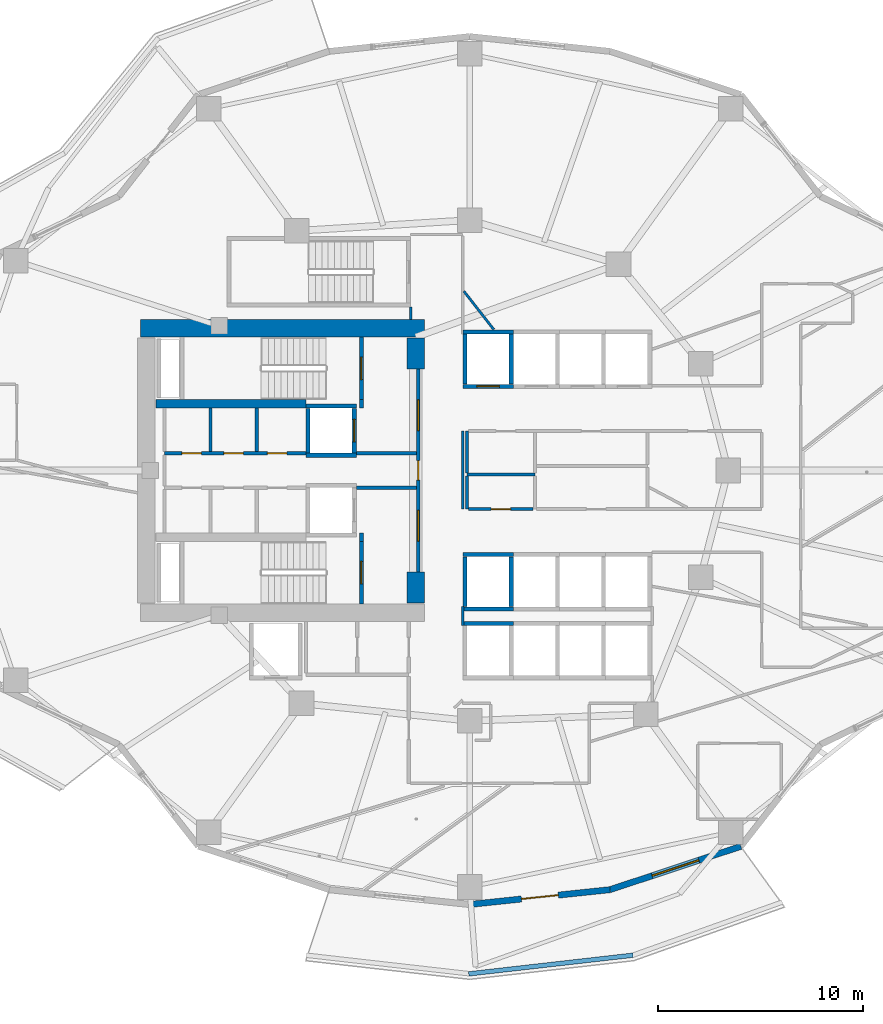
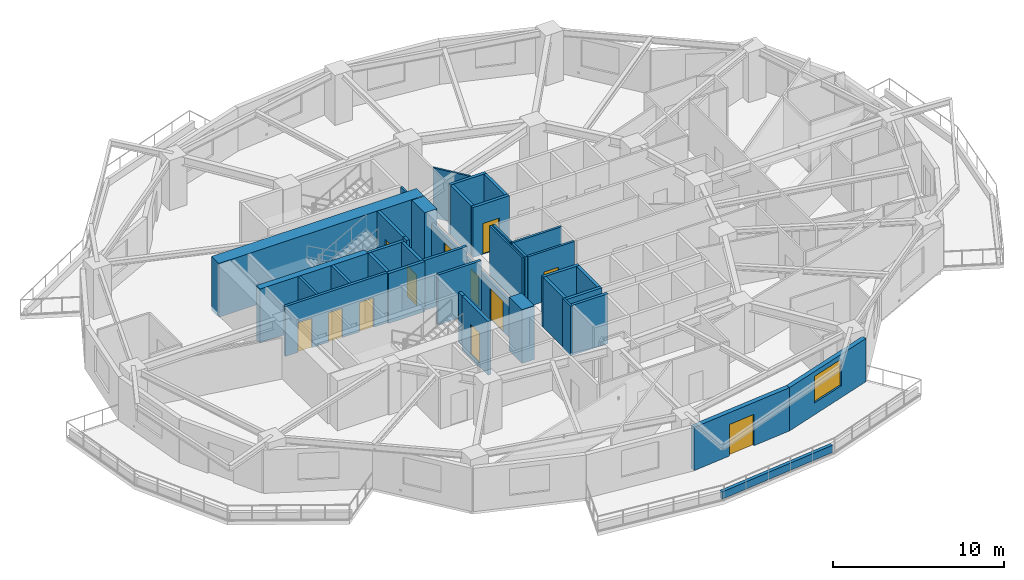
# One storey, part 4 of 16: 38 walls, 12 doors, 1 window, 13 openings.
"""IFC4 building model written with IfcOpenShell, lengths in metres."""

from ifc_helpers import new_model, si_unit, direction, frame, frame_2d, origin, place, context, subcontext, project, spatial, rectangle, extrude, material, layer, layer_set, type_object, element, fill, save


model = new_model("IFC4")

# Units and contexts
model_context = context("Model", 3, precision=1e-05, world=origin(), true_north=direction((0.0, 1.0)))
body_context = subcontext(model_context, "Body", "Model", "MODEL_VIEW")
ifc_project = project(units=[si_unit("LENGTHUNIT", "METRE"), si_unit("AREAUNIT", "SQUARE_METRE"), si_unit("VOLUMEUNIT", "CUBIC_METRE"), si_unit("PLANEANGLEUNIT", "RADIAN"), si_unit("MASSUNIT", "GRAM", prefix="KILO")], contexts=[model_context])

# Site, building, storey
site_placement = place(None, origin())
site = spatial("IfcSite", under=ifc_project, at=site_placement, CompositionType="ELEMENT")
building_placement = place(site_placement, origin())
building = spatial("IfcBuilding", under=site, at=building_placement, Name="Kolvaren Gate Tower and Convention Centre", CompositionType="ELEMENT")
storey_placement = place(building_placement, frame((0.0, 0.0, 65.0)))
storey = spatial("IfcBuildingStorey", under=building, at=storey_placement, Name="L15", CompositionType="ELEMENT", Elevation=65.0)

# Walls
ifc_material_1 = material(Name="Autoclaved Aerated Masonry Blockwork Class 4 (4.0 MPa)", Category="masonry")
ifc_layer_1 = layer(ifc_material_1, 0.179931640625)
ifc_layer_set_1 = layer_set([ifc_layer_1], Name="Autoclaved Aerated Masonry Blockwork Class 4 (4.0 MPa)")
wall_type_1 = type_object("IfcWallType", Name="ARCH-WL-COMP-180", PredefinedType="SOLIDWALL", material=ifc_layer_set_1)
for number, where, z_axis, x_axis, name in (
    (1, (24.85009765625, 23.5400390625, 0.0), (0.0, 0.0, 1.0), (0.0, 1.0, 0.0), "Interior Partition WL-L15-INT-001"),
    (2, (24.85009765625, 30.0400390625, 0.0), (0.0, 0.0, 1.0), (0.0, 1.0, 0.0), "Interior Partition WL-L15-INT-002"),
):
    element("IfcWall", number, at=place(storey_placement, frame(where, z_axis=z_axis, x_axis=x_axis)), inside=storey, type_object=wall_type_1, Name=name, PredefinedType="SOLIDWALL", context=body_context, shape_type="SweptSolid", body=[
        extrude(rectangle(XDim=0.419921875, YDim=0.179931640625, at=frame_2d((0.2099609375, 0.0))), origin(), (0.0, 0.0, 1.0), 3.570068359375),
    ])

# Wall, openings, doors
wall_1_placement = place(storey_placement, frame((27.6201171875, 22.050048828125, 0.0), z_axis=(0.0, 0.0, 1.0), x_axis=(0.0, 1.0, 0.0)))
wall_1 = element("IfcWall", 3, at=wall_1_placement, inside=storey, type_object=wall_type_1, Name="Interior Partition WL-L15-INT-003", PredefinedType="SOLIDWALL", context=body_context, shape_type="SweptSolid", body=[
    extrude(rectangle(XDim=9.89990234375, YDim=0.179931640625, at=frame_2d((4.949951171875, 0.0))), origin(), (0.0, 0.0, 1.0), 2.662109375),
])
opening_1_placement = place(wall_1_placement, frame((4.47509765625, 0.0, 0.0)))
opening_1 = element("IfcOpeningElement", 4, at=opening_1_placement, cuts=wall_1, Name="Opening DR-01", PredefinedType="OPENING", context=body_context, shape_type="SweptSolid", body=[
    extrude(rectangle(XDim=0.949951171875, YDim=2.10009765625, at=frame_2d((0.47509765625, 1.050048828125))), frame((0.0, 0.099853515625, 0.0), z_axis=(0.0, -1.0, 0.0), x_axis=(1.0, 0.0, 0.0)), (0.0, 0.0, 1.0), 0.199951171875),
])
opening_2_placement = place(wall_1_placement, frame((6.889892578125, 0.0, 0.0)))
opening_2 = element("IfcOpeningElement", 5, at=opening_2_placement, cuts=wall_1, Name="Opening DL-01", PredefinedType="OPENING", context=body_context, shape_type="SweptSolid", body=[
    extrude(rectangle(XDim=1.5, YDim=2.199951171875, at=frame_2d((0.75, 1.10009765625))), frame((0.0, 0.099853515625, 0.0), z_axis=(0.0, -1.0, 0.0), x_axis=(1.0, 0.0, 0.0)), (0.0, 0.0, 1.0), 0.199951171875),
])
opening_3_placement = place(wall_1_placement, frame((1.510009765625, 0.0, 0.0)))
opening_3 = element("IfcOpeningElement", 6, at=opening_3_placement, cuts=wall_1, Name="Opening DL-01", PredefinedType="OPENING", context=body_context, shape_type="SweptSolid", body=[
    extrude(rectangle(XDim=1.5, YDim=2.199951171875, at=frame_2d((0.75, 1.10009765625))), frame((0.0, 0.099853515625, 0.0), z_axis=(0.0, -1.0, 0.0), x_axis=(1.0, 0.0, 0.0)), (0.0, 0.0, 1.0), 0.199951171875),
])
ifc_material_2 = material(Name="Painted Architectural Steelwork ASTM A500 Grade C 345 MPa", Category="steel")
door_type_1 = type_object("IfcDoorType", Name="ARCH-DR-LOBBY-1500", OperationType="DOUBLE_DOOR_SINGLE_SWING", PredefinedType="DOOR", material=ifc_material_2)
door_1_placement = place(opening_2_placement, origin())
door_1 = element("IfcDoor", 7, at=door_1_placement, inside=storey, type_object=door_type_1, Name="North Firefighting Stair and Lift Lobby Door", OperationType="DOUBLE_DOOR_SINGLE_SWING", OverallHeight=2.199951171875, OverallWidth=1.5, PredefinedType="DOOR", context=body_context, shape_type="SweptSolid", body=[
    extrude(rectangle(XDim=1.5, YDim=2.199951171875, at=frame_2d((0.75, 1.10009765625))), frame((0.0, 0.02490234375, 0.0), z_axis=(0.0, -1.0, 0.0), x_axis=(1.0, 0.0, 0.0)), (0.0, 0.0, 1.0), 0.050048828125),
])
fill(opening_2, door_1)
door_2_placement = place(opening_3_placement, origin())
door_2 = element("IfcDoor", 8, at=door_2_placement, inside=storey, type_object=door_type_1, Name="South Firefighting Stair and Lift Lobby Door", OperationType="DOUBLE_DOOR_SINGLE_SWING", OverallHeight=2.199951171875, OverallWidth=1.5, PredefinedType="DOOR", context=body_context, shape_type="SweptSolid", body=[
    extrude(rectangle(XDim=1.5, YDim=2.199951171875, at=frame_2d((0.75, 1.10009765625))), frame((0.0, 0.02490234375, 0.0), z_axis=(0.0, -1.0, 0.0), x_axis=(1.0, 0.0, 0.0)), (0.0, 0.0, 1.0), 0.050048828125),
])
fill(opening_3, door_2)
door_type_2 = type_object("IfcDoorType", Name="ARCH-DR-RISER-950", OperationType="SINGLE_SWING_RIGHT", PredefinedType="DOOR", material=ifc_material_2)
door_3_placement = place(opening_1_placement, origin())
door_3 = element("IfcDoor", 9, at=door_3_placement, inside=storey, type_object=door_type_2, Name="Central MEP Service Corridor Door", OperationType="SINGLE_SWING_RIGHT", OverallHeight=2.10009765625, OverallWidth=0.949951171875, PredefinedType="DOOR", context=body_context, shape_type="SweptSolid", body=[
    extrude(rectangle(XDim=0.949951171875, YDim=2.10009765625, at=frame_2d((0.47509765625, 1.050048828125))), frame((0.0, 0.02490234375, 0.0), z_axis=(0.0, -1.0, 0.0), x_axis=(1.0, 0.0, 0.0)), (0.0, 0.0, 1.0), 0.050048828125),
])
fill(opening_1, door_3)

wall_2_placement = place(storey_placement, frame((15.25, 27.840087890625, 0.0), z_axis=(0.0, 0.0, 1.0), x_axis=(1.0, 0.0, 0.0)))
wall_2 = element("IfcWall", 10, at=wall_2_placement, inside=storey, type_object=wall_type_1, Name="Interior Partition WL-L15-INT-004", PredefinedType="SOLIDWALL", context=body_context, shape_type="SweptSolid", body=[
    extrude(rectangle(XDim=6.89990234375, YDim=0.179931640625, at=frame_2d((3.449951171875, 0.0))), origin(), (0.0, 0.0, 1.0), 3.570068359375),
])
opening_4_placement = place(wall_2_placement, frame((5.02001953125, 0.0, 0.0)))
opening_4 = element("IfcOpeningElement", 11, at=opening_4_placement, cuts=wall_2, Name="Opening DR-01", PredefinedType="OPENING", context=body_context, shape_type="SweptSolid", body=[
    extrude(rectangle(XDim=0.949951171875, YDim=2.10009765625, at=frame_2d((0.47509765625, 1.050048828125))), frame((0.0, 0.099853515625, 0.0), z_axis=(0.0, -1.0, 0.0), x_axis=(1.0, 0.0, 0.0)), (0.0, 0.0, 1.0), 0.199951171875),
])
opening_5_placement = place(wall_2_placement, frame((0.85498046875, 0.0, 0.0)))
opening_5 = element("IfcOpeningElement", 12, at=opening_5_placement, cuts=wall_2, Name="Opening DR-01", PredefinedType="OPENING", context=body_context, shape_type="SweptSolid", body=[
    extrude(rectangle(XDim=0.949951171875, YDim=2.10009765625, at=frame_2d((0.47509765625, 1.050048828125))), frame((0.0, 0.099853515625, 0.0), z_axis=(0.0, -1.0, 0.0), x_axis=(1.0, 0.0, 0.0)), (0.0, 0.0, 1.0), 0.199951171875),
])
opening_6_placement = place(wall_2_placement, frame((2.89990234375, 0.0, 0.0)))
opening_6 = element("IfcOpeningElement", 13, at=opening_6_placement, cuts=wall_2, Name="Opening DR-01", PredefinedType="OPENING", context=body_context, shape_type="SweptSolid", body=[
    extrude(rectangle(XDim=0.949951171875, YDim=2.10009765625, at=frame_2d((0.47509765625, 1.050048828125))), frame((0.0, 0.099853515625, 0.0), z_axis=(0.0, -1.0, 0.0), x_axis=(1.0, 0.0, 0.0)), (0.0, 0.0, 1.0), 0.199951171875),
])
door_4_placement = place(opening_4_placement, origin())
door_4 = element("IfcDoor", 14, at=door_4_placement, inside=storey, type_object=door_type_2, Name="Electrical Switchgear Closet Door", OperationType="SINGLE_SWING_LEFT", OverallHeight=2.10009765625, OverallWidth=0.949951171875, PredefinedType="DOOR", context=body_context, shape_type="SweptSolid", body=[
    extrude(rectangle(XDim=0.949951171875, YDim=2.10009765625, at=frame_2d((0.47509765625, 1.050048828125))), frame((0.0, 0.02490234375, 0.0), z_axis=(0.0, -1.0, 0.0), x_axis=(1.0, 0.0, 0.0)), (0.0, 0.0, 1.0), 0.050048828125),
])
fill(opening_4, door_4)
door_5_placement = place(opening_5_placement, origin())
door_5 = element("IfcDoor", 15, at=door_5_placement, inside=storey, type_object=door_type_2, Name="Staff Accessible WC Door", OperationType="SINGLE_SWING_LEFT", OverallHeight=2.10009765625, OverallWidth=0.949951171875, PredefinedType="DOOR", context=body_context, shape_type="SweptSolid", body=[
    extrude(rectangle(XDim=0.949951171875, YDim=2.10009765625, at=frame_2d((0.47509765625, 1.050048828125))), frame((0.0, 0.02490234375, 0.0), z_axis=(0.0, -1.0, 0.0), x_axis=(1.0, 0.0, 0.0)), (0.0, 0.0, 1.0), 0.050048828125),
])
fill(opening_5, door_5)
door_6_placement = place(opening_6_placement, origin())
door_6 = element("IfcDoor", 16, at=door_6_placement, inside=storey, type_object=door_type_2, Name="Housekeeping Sink Closet Door", OperationType="SINGLE_SWING_RIGHT", OverallHeight=2.10009765625, OverallWidth=0.949951171875, PredefinedType="DOOR", context=body_context, shape_type="SweptSolid", body=[
    extrude(rectangle(XDim=0.949951171875, YDim=2.10009765625, at=frame_2d((0.47509765625, 1.050048828125))), frame((0.0, 0.02490234375, 0.0), z_axis=(0.0, -1.0, 0.0), x_axis=(1.0, 0.0, 0.0)), (0.0, 0.0, 1.0), 0.050048828125),
])
fill(opening_6, door_6)

# Walls
for number, where, z_axis, x_axis, name in (
    (17, (24.60009765625, 27.840087890625, 0.0), (0.0, 0.0, 1.0), (1.0, 0.0, 0.0), "Interior Partition WL-L15-INT-004 (2)"),
    (18, (24.60009765625, 26.159912109375, 0.0), (0.0, 0.0, 1.0), (1.0, 0.0, 0.0), "Interior Partition WL-L15-INT-005 (2)"),
):
    element("IfcWall", number, at=place(storey_placement, frame(where, z_axis=z_axis, x_axis=x_axis)), inside=storey, type_object=wall_type_1, Name=name, PredefinedType="SOLIDWALL", context=body_context, shape_type="SweptSolid", body=[
        extrude(rectangle(XDim=2.927978515625, YDim=0.179931640625, at=frame_2d((1.4638671875, 0.0))), origin(), (0.0, 0.0, 1.0), 3.570068359375),
    ])
wall_3_placement = place(storey_placement, frame((19.75, 27.931884765625, 0.0), z_axis=(0.0, 0.0, 1.0), x_axis=(0.0, 1.0, 0.0)))
element("IfcWall", 19, at=wall_3_placement, inside=storey, type_object=wall_type_1, Name="Interior Partition WL-L15-INT-008", PredefinedType="SOLIDWALL", context=body_context, shape_type="SweptSolid", body=[
    extrude(rectangle(XDim=2.106201171875, YDim=0.179931640625, at=frame_2d((1.05322265625, 0.0))), origin(), (0.0, 0.0, 1.0), 3.570068359375),
])
ifc_material_3 = material(Name="Fire-Rated Acoustic Gypsum Stud Partition", Category="gypsum")
ifc_layer_2 = layer(ifc_material_3, 0.1201171875)
ifc_layer_set_2 = layer_set([ifc_layer_2], Name="Fire-Rated Acoustic Gypsum Stud Partition")
wall_type_2 = type_object("IfcWallType", Name="ARCH-WL-PART-120", PredefinedType="PARTITIONING", material=ifc_layer_set_2)
wall_4_placement = place(storey_placement, frame((27.25, 34.35205078125, 0.0), z_axis=(0.0, 0.0, 1.0), x_axis=(0.0, 1.0, 0.0)))
element("IfcWall", 20, at=wall_4_placement, inside=storey, type_object=wall_type_2, Name="Interior Partition WL-L15-INT-026", PredefinedType="PARTITIONING", context=body_context, shape_type="SweptSolid", body=[
    extrude(rectangle(XDim=0.60595703125, YDim=0.1201171875, at=frame_2d((0.302978515625, 0.0))), origin(), (0.0, 0.0, 1.0), 3.570068359375),
])
wall_5_placement = place(storey_placement, frame((29.780029296875, 19.43994140625, 0.0), z_axis=(0.0, 0.0, 1.0), x_axis=(0.0, 1.0, 0.0)))
element("IfcWall", 21, at=wall_5_placement, inside=storey, type_object=wall_type_2, Name="Interior Partition WL-L15-INT-028", PredefinedType="PARTITIONING", context=body_context, shape_type="SweptSolid", body=[
    extrude(rectangle(XDim=0.920166015625, YDim=0.1201171875, at=frame_2d((0.4599609375, 0.0))), origin(), (0.0, 0.0, 1.0), 3.570068359375),
])
wall_6_placement = place(storey_placement, frame((29.780029296875, 25.1201171875, 0.0), z_axis=(0.0, 0.0, 1.0), x_axis=(0.0, 1.0, 0.0)))
element("IfcWall", 22, at=wall_6_placement, inside=storey, type_object=wall_type_2, Name="Interior Partition WL-L15-INT-029", PredefinedType="PARTITIONING", context=body_context, shape_type="SweptSolid", body=[
    extrude(rectangle(XDim=3.7998046875, YDim=0.1201171875, at=frame_2d((1.89990234375, 0.0))), origin(), (0.0, 0.0, 1.0), 3.570068359375),
])
wall_7_placement = place(storey_placement, frame((29.842041015625, 35.737548828125, 0.0), z_axis=(0.0, 0.0, 1.0), x_axis=(0.615658036341, -0.788013440424, 0.0)))
element("IfcWall", 23, at=wall_7_placement, inside=storey, type_object=wall_type_2, Name="Interior Partition WL-L15-INT-073", PredefinedType="PARTITIONING", context=body_context, shape_type="SweptSolid", body=[
    extrude(rectangle(XDim=2.369873046875, YDim=0.1201171875, at=frame_2d((1.18505859375, 0.0))), origin(), (0.0, 0.0, 1.0), 3.570068359375),
])
ifc_material_4 = material(Name="Piedmont Cream Honed Limestone Cladding", Category="masonry")
ifc_layer_3 = layer(ifc_material_4, 0.219970703125)
ifc_layer_set_3 = layer_set([ifc_layer_3], Name="Piedmont Cream Honed Limestone Cladding")
wall_type_3 = type_object("IfcWallType", Name="ARCH-WL-PLANTER-220", PredefinedType="PARAPET", material=ifc_layer_set_3)
wall_8_placement = place(storey_placement, frame((30.07958984375, 2.46630859375, 0.0), z_axis=(0.0, 0.0, 1.0), x_axis=(0.993598144351, 0.112972242349, 0.0)))
element("IfcWall", 24, at=wall_8_placement, inside=storey, type_object=wall_type_3, Name="Vertical-Forest Balcony Stone Planter Kerb PK-L15-3.2", PredefinedType="PARAPET", context=body_context, shape_type="SweptSolid", body=[
    extrude(rectangle(XDim=8.056396484375, YDim=0.219970703125, at=frame_2d((4.0283203125, 0.0))), origin(), (0.0, 0.0, 1.0), 0.52001953125),
])
ifc_layer_4 = layer(ifc_material_1, 0.199951171875)
ifc_layer_set_4 = layer_set([ifc_layer_4], Name="Autoclaved Aerated Masonry Blockwork Class 4 (4.0 MPa)")
wall_type_4 = type_object("IfcWallType", Name="ARCH-WL-SHAFT-200", PredefinedType="SOLIDWALL", material=ifc_layer_set_4)
for number, where, z_axis, x_axis, name in (
    (25, (22.14990234375, 30.139892578125, 0.0), (0.0, 0.0, 1.0), (1.0, 0.0, 0.0), "Elevator FF-01 L15 Fire Shaft Wall N"),
    (26, (22.14990234375, 27.739990234375, 0.0), (0.0, 0.0, 1.0), (1.0, 0.0, 0.0), "Elevator FF-01 L15 Fire Shaft Wall S"),
):
    element("IfcWall", number, at=place(storey_placement, frame(where, z_axis=z_axis, x_axis=x_axis)), inside=storey, type_object=wall_type_4, Name=name, PredefinedType="SOLIDWALL", context=body_context, shape_type="SweptSolid", body=[
        extrude(rectangle(XDim=2.4501953125, YDim=0.199951171875, at=frame_2d((1.22509765625, 0.0))), origin(), (0.0, 0.0, 1.0), 3.570068359375),
    ])
wall_9_placement = place(storey_placement, frame((22.25, 27.85009765625, 0.0), z_axis=(0.0, 0.0, 1.0), x_axis=(0.0, 1.0, 0.0)))
element("IfcWall", 27, at=wall_9_placement, inside=storey, type_object=wall_type_4, Name="Elevator FF-01 L15 Fire Shaft Wall W", PredefinedType="SOLIDWALL", context=body_context, shape_type="SweptSolid", body=[
    extrude(rectangle(XDim=2.179931640625, YDim=0.199951171875, at=frame_2d((1.08984375, 0.0))), origin(), (0.0, 0.0, 1.0), 3.570068359375),
])

# Wall, opening, door
wall_10_placement = place(storey_placement, frame((24.5, 27.85009765625, 0.0), z_axis=(0.0, 0.0, 1.0), x_axis=(0.0, 1.0, 0.0)))
wall_10 = element("IfcWall", 28, at=wall_10_placement, inside=storey, type_object=wall_type_4, Name="Elevator FF-01 L15 Fire Shaft Wall E", PredefinedType="SOLIDWALL", context=body_context, shape_type="SweptSolid", body=[
    extrude(rectangle(XDim=2.179931640625, YDim=0.199951171875, at=frame_2d((1.08984375, 0.0))), origin(), (0.0, 0.0, 1.0), 3.570068359375),
])
opening_7_placement = place(wall_10_placement, frame((0.5400390625, 0.0, 0.0)))
opening_7 = element("IfcOpeningElement", 29, at=opening_7_placement, cuts=wall_10, Name="Opening LD", PredefinedType="OPENING", context=body_context, shape_type="SweptSolid", body=[
    extrude(rectangle(XDim=1.10009765625, YDim=2.199951171875, at=frame_2d((0.550048828125, 1.10009765625))), frame((0.0, 0.10986328125, 0.0), z_axis=(0.0, -1.0, 0.0), x_axis=(1.0, 0.0, 0.0)), (0.0, 0.0, 1.0), 0.219970703125),
])
ifc_material_5 = material(Name="Brushed Stainless Steel Grade 316L", Category="steel")
door_type_3 = type_object("IfcDoorType", Name="ARCH-DR-LIFT-1100", OperationType="SLIDING_TO_LEFT", PredefinedType="DOOR", material=ifc_material_5)
door_7_placement = place(opening_7_placement, origin())
door_7 = element("IfcDoor", 30, at=door_7_placement, inside=storey, type_object=door_type_3, Name="Elevator FF-01 L15 Sliding Landing Door", OperationType="SLIDING_TO_LEFT", OverallHeight=2.199951171875, OverallWidth=1.10009765625, PredefinedType="DOOR", context=body_context, shape_type="SweptSolid", body=[
    extrude(rectangle(XDim=1.10009765625, YDim=2.199951171875, at=frame_2d((0.550048828125, 1.10009765625))), frame((0.0, 0.02490234375, 0.0), z_axis=(0.0, -1.0, 0.0), x_axis=(1.0, 0.0, 0.0)), (0.0, 0.0, 1.0), 0.050048828125),
])
fill(opening_7, door_7)

# Wall
wall_11_placement = place(storey_placement, frame((29.800048828125, 33.75, 0.0), z_axis=(0.0, 0.0, 1.0), x_axis=(1.0, 0.0, 0.0)))
element("IfcWall", 31, at=wall_11_placement, inside=storey, type_object=wall_type_4, Name="Elevator PL-01 L15 Fire Shaft Wall N", PredefinedType="SOLIDWALL", context=body_context, shape_type="SweptSolid", body=[
    extrude(rectangle(XDim=2.449951171875, YDim=0.199951171875, at=frame_2d((1.22509765625, 0.0))), origin(), (0.0, 0.0, 1.0), 3.570068359375),
])

# Wall, opening, door
wall_12_placement = place(storey_placement, frame((29.800048828125, 31.10009765625, 0.0), z_axis=(0.0, 0.0, 1.0), x_axis=(1.0, 0.0, 0.0)))
wall_12 = element("IfcWall", 32, at=wall_12_placement, inside=storey, type_object=wall_type_4, Name="Elevator PL-01 L15 Fire Shaft Wall S", PredefinedType="SOLIDWALL", context=body_context, shape_type="SweptSolid", body=[
    extrude(rectangle(XDim=2.449951171875, YDim=0.199951171875, at=frame_2d((1.22509765625, 0.0))), origin(), (0.0, 0.0, 1.0), 3.570068359375),
])
opening_8_placement = place(wall_12_placement, frame((0.675048828125, 0.0, 0.0)))
opening_8 = element("IfcOpeningElement", 33, at=opening_8_placement, cuts=wall_12, Name="Opening LD", PredefinedType="OPENING", context=body_context, shape_type="SweptSolid", body=[
    extrude(rectangle(XDim=1.10009765625, YDim=2.199951171875, at=frame_2d((0.550048828125, 1.10009765625))), frame((0.0, 0.10986328125, 0.0), z_axis=(0.0, -1.0, 0.0), x_axis=(1.0, 0.0, 0.0)), (0.0, 0.0, 1.0), 0.219970703125),
])
door_8_placement = place(opening_8_placement, origin())
door_8 = element("IfcDoor", 34, at=door_8_placement, inside=storey, type_object=door_type_3, Name="Elevator PL-01 L15 Sliding Landing Door", OperationType="SLIDING_TO_LEFT", OverallHeight=2.199951171875, OverallWidth=1.10009765625, PredefinedType="DOOR", context=body_context, shape_type="SweptSolid", body=[
    extrude(rectangle(XDim=1.10009765625, YDim=2.199951171875, at=frame_2d((0.550048828125, 1.10009765625))), frame((0.0, 0.02490234375, 0.0), z_axis=(0.0, -1.0, 0.0), x_axis=(1.0, 0.0, 0.0)), (0.0, 0.0, 1.0), 0.050048828125),
])
fill(opening_8, door_8)

# Walls
for number, where, z_axis, x_axis, name in (
    (35, (29.89990234375, 31.2099609375, 0.0), (0.0, 0.0, 1.0), (0.0, 1.0, 0.0), "Elevator PL-01 L15 Fire Shaft Wall W"),
    (36, (32.14990234375, 31.2099609375, 0.0), (0.0, 0.0, 1.0), (0.0, 1.0, 0.0), "Elevator PL-01 L15 Fire Shaft Wall E"),
):
    element("IfcWall", number, at=place(storey_placement, frame(where, z_axis=z_axis, x_axis=x_axis)), inside=storey, type_object=wall_type_4, Name=name, PredefinedType="SOLIDWALL", context=body_context, shape_type="SweptSolid", body=[
        extrude(rectangle(XDim=2.429931640625, YDim=0.199951171875, at=frame_2d((1.21484375, 0.0))), origin(), (0.0, 0.0, 1.0), 3.570068359375),
    ])
for number, where, z_axis, x_axis, name in (
    (37, (29.800048828125, 19.550048828125, 0.0), (0.0, 0.0, 1.0), (1.0, 0.0, 0.0), "Elevator PL-05 L15 Fire Shaft Wall N"),
    (38, (29.800048828125, 22.89990234375, 0.0), (0.0, 0.0, 1.0), (1.0, 0.0, 0.0), "Elevator PL-09 L15 Fire Shaft Wall N"),
    (39, (29.800048828125, 20.25, 0.0), (0.0, 0.0, 1.0), (1.0, 0.0, 0.0), "Elevator PL-09 L15 Fire Shaft Wall S"),
):
    element("IfcWall", number, at=place(storey_placement, frame(where, z_axis=z_axis, x_axis=x_axis)), inside=storey, type_object=wall_type_4, Name=name, PredefinedType="SOLIDWALL", context=body_context, shape_type="SweptSolid", body=[
        extrude(rectangle(XDim=2.449951171875, YDim=0.199951171875, at=frame_2d((1.22509765625, 0.0))), origin(), (0.0, 0.0, 1.0), 3.570068359375),
    ])
for number, where, z_axis, x_axis, name in (
    (40, (29.89990234375, 20.360107421875, 0.0), (0.0, 0.0, 1.0), (0.0, 1.0, 0.0), "Elevator PL-09 L15 Fire Shaft Wall W"),
    (41, (32.14990234375, 20.360107421875, 0.0), (0.0, 0.0, 1.0), (0.0, 1.0, 0.0), "Elevator PL-09 L15 Fire Shaft Wall E"),
):
    element("IfcWall", number, at=place(storey_placement, frame(where, z_axis=z_axis, x_axis=x_axis)), inside=storey, type_object=wall_type_4, Name=name, PredefinedType="SOLIDWALL", context=body_context, shape_type="SweptSolid", body=[
        extrude(rectangle(XDim=2.429931640625, YDim=0.199951171875, at=frame_2d((1.21484375, 0.0))), origin(), (0.0, 0.0, 1.0), 3.570068359375),
    ])

# Wall, opening, door
ifc_layer_5 = layer(ifc_material_4, 0.300048828125)
ifc_layer_set_5 = layer_set([ifc_layer_5], Name="Piedmont Cream Honed Limestone Cladding")
wall_type_5 = type_object("IfcWallType", Name="ARCH-WL-STONE-300", PredefinedType="SOLIDWALL", material=ifc_layer_set_5)
wall_13_placement = place(storey_placement, frame((30.125, 5.85009765625, 0.0), z_axis=(0.0, 0.0, 1.0), x_axis=(0.994498840295, 0.104747585419, 0.0)))
wall_13 = element("IfcWall", 42, at=wall_13_placement, inside=storey, type_object=wall_type_5, Name="Tower L15 Honed Stone Spandrel Wall EW-18", PredefinedType="SOLIDWALL", context=body_context, shape_type="SweptSolid", body=[
    extrude(rectangle(XDim=6.88037109375, YDim=0.300048828125, at=frame_2d((3.440185546875, 0.0))), origin(), (0.0, 0.0, 1.0), 3.093017578125),
])
opening_9_placement = place(wall_13_placement, frame((2.5400390625, 0.0, 0.0)))
opening_9 = element("IfcOpeningElement", 43, at=opening_9_placement, cuts=wall_13, Name="Opening DB-01", PredefinedType="OPENING", context=body_context, shape_type="SweptSolid", body=[
    extrude(rectangle(XDim=1.800048828125, YDim=2.25, at=frame_2d((0.89990234375, 1.125))), frame((0.0, 0.159912109375, 0.0), z_axis=(0.0, -1.0, 0.0), x_axis=(1.0, 0.0, 0.0)), (0.0, 0.0, 1.0), 0.320068359375),
])
ifc_material_6 = material(Name="Anodized Architectural Aluminium Alloy 6063-T6", Category="aluminium")
door_type_4 = type_object("IfcDoorType", Name="ARCH-DR-BALC-1800", OperationType="SLIDING_TO_LEFT", PredefinedType="DOOR", material=ifc_material_6)
door_9_placement = place(opening_9_placement, frame((1.800048828125, 0.0, 0.0), z_axis=(0.0, 0.0, 1.0), x_axis=(-1.0, 0.0, 0.0)))
door_9 = element("IfcDoor", 44, at=door_9_placement, inside=storey, type_object=door_type_4, Name="Planted Sky Terrace Access Door DB-L15-18", OperationType="SLIDING_TO_LEFT", OverallHeight=2.25, OverallWidth=1.800048828125, PredefinedType="DOOR", context=body_context, shape_type="SweptSolid", body=[
    extrude(rectangle(XDim=1.800048828125, YDim=2.25, at=frame_2d((0.89990234375, 1.125))), frame((0.0, 0.02490234375, 0.0), z_axis=(0.0, -1.0, 0.0), x_axis=(1.0, 0.0, 0.0)), (0.0, 0.0, 1.0), 0.050048828125),
])
fill(opening_9, door_9)

# Wall, opening, window
wall_14_placement = place(storey_placement, frame((36.967529296875, 6.57080078125, 0.0), z_axis=(0.0, 0.0, 1.0), x_axis=(0.949245153629, 0.314537181127, 0.0)))
wall_14 = element("IfcWall", 45, at=wall_14_placement, inside=storey, type_object=wall_type_5, Name="Tower L15 Honed Stone Spandrel Wall EW-19", PredefinedType="SOLIDWALL", context=body_context, shape_type="SweptSolid", body=[
    extrude(rectangle(XDim=6.717041015625, YDim=0.300048828125, at=frame_2d((3.3583984375, 0.0))), origin(), (0.0, 0.0, 1.0), 3.093017578125),
])
opening_10_placement = place(wall_14_placement, frame((2.158935546875, 0.0, 0.85009765625)))
opening_10 = element("IfcOpeningElement", 46, at=opening_10_placement, cuts=wall_14, Name="Opening W-01", PredefinedType="OPENING", context=body_context, shape_type="SweptSolid", body=[
    extrude(rectangle(XDim=2.39990234375, YDim=1.89990234375, at=frame_2d((1.199951171875, 0.949951171875))), frame((0.0, 0.159912109375, 0.0), z_axis=(0.0, -1.0, 0.0), x_axis=(1.0, 0.0, 0.0)), (0.0, 0.0, 1.0), 0.320068359375),
])
ifc_material_7 = material(Name="Low-E Triple Insulated Glazing Unit 44 mm", Category="glass")
window_type = type_object("IfcWindowType", Name="ARCH-WN-OFF-2400", PartitioningType="SINGLE_PANEL", PredefinedType="WINDOW", material=ifc_material_7)
window_placement = place(opening_10_placement, origin())
window = element("IfcWindow", 47, at=window_placement, inside=storey, type_object=window_type, Name="Tower L15 Punched Stone Facade Window W-19", OverallHeight=1.89990234375, OverallWidth=2.39990234375, PartitioningType="SINGLE_PANEL", PredefinedType="WINDOW", context=body_context, shape_type="SweptSolid", body=[
    extrude(rectangle(XDim=2.39990234375, YDim=1.89990234375, at=frame_2d((1.199951171875, 0.949951171875))), frame((0.0, 0.030029296875, 0.0), z_axis=(0.0, -1.0, 0.0), x_axis=(1.0, 0.0, 0.0)), (0.0, 0.0, 1.0), 0.06005859375),
])
fill(opening_10, window)

# Walls
ifc_material_8 = material(Name="Moisture-Resistant Cement-Board Acoustic Partition", Category="gypsum")
ifc_layer_6 = layer(ifc_material_8, 0.14990234375)
ifc_layer_set_6 = layer_set([ifc_layer_6], Name="Moisture-Resistant Cement-Board Acoustic Partition")
wall_type_6 = type_object("IfcWallType", Name="ARCH-WL-WET-150", PredefinedType="PARTITIONING", material=ifc_layer_set_6)
wall_15_placement = place(storey_placement, frame((17.5, 27.931884765625, 0.0), z_axis=(0.0, 0.0, 1.0), x_axis=(0.0, 1.0, 0.0)))
element("IfcWall", 48, at=wall_15_placement, inside=storey, type_object=wall_type_6, Name="Interior Partition WL-L15-INT-010", PredefinedType="PARTITIONING", context=body_context, shape_type="SweptSolid", body=[
    extrude(rectangle(XDim=2.106201171875, YDim=0.14990234375, at=frame_2d((1.05322265625, 0.0))), origin(), (0.0, 0.0, 1.0), 3.570068359375),
])
wall_16_placement = place(storey_placement, frame((30.0, 26.800048828125, 0.0), z_axis=(0.0, 0.0, 1.0), x_axis=(1.0, 0.0, 0.0)))
element("IfcWall", 49, at=wall_16_placement, inside=storey, type_object=wall_type_6, Name="Interior Partition WL-L15-INT-015", PredefinedType="PARTITIONING", context=body_context, shape_type="SweptSolid", body=[
    extrude(rectangle(XDim=3.300048828125, YDim=0.14990234375, at=frame_2d((1.64990234375, 0.0))), origin(), (0.0, 0.0, 1.0), 3.570068359375),
])
wall_17_placement = place(storey_placement, frame((30.0, 25.1201171875, 0.0), z_axis=(0.0, 0.0, 1.0), x_axis=(0.0, 1.0, 0.0)))
element("IfcWall", 50, at=wall_17_placement, inside=storey, type_object=wall_type_6, Name="Interior Partition WL-L15-INT-016", PredefinedType="PARTITIONING", context=body_context, shape_type="SweptSolid", body=[
    extrude(rectangle(XDim=1.602783203125, YDim=0.14990234375, at=frame_2d((0.80126953125, 0.0))), origin(), (0.0, 0.0, 1.0), 3.570068359375),
])
wall_18_placement = place(storey_placement, frame((30.0, 26.876953125, 0.0), z_axis=(0.0, 0.0, 1.0), x_axis=(0.0, 1.0, 0.0)))
element("IfcWall", 51, at=wall_18_placement, inside=storey, type_object=wall_type_6, Name="Interior Partition WL-L15-INT-016 (2)", PredefinedType="PARTITIONING", context=body_context, shape_type="SweptSolid", body=[
    extrude(rectangle(XDim=2.04296875, YDim=0.14990234375, at=frame_2d((1.021484375, 0.0))), origin(), (0.0, 0.0, 1.0), 3.570068359375),
])

# Wall, opening, door
wall_19_placement = place(storey_placement, frame((30.076904296875, 25.1201171875, 0.0), z_axis=(0.0, 0.0, 1.0), x_axis=(1.0, 0.0, 0.0)))
wall_19 = element("IfcWall", 52, at=wall_19_placement, inside=storey, type_object=wall_type_6, Name="Interior Partition WL-L15-INT-019", PredefinedType="PARTITIONING", context=body_context, shape_type="SweptSolid", body=[
    extrude(rectangle(XDim=3.14599609375, YDim=0.14990234375, at=frame_2d((1.572998046875, 0.0))), origin(), (0.0, 0.0, 1.0), 3.570068359375),
])
opening_11_placement = place(wall_19_placement, frame((1.097900390625, 0.0, 0.0)))
opening_11 = element("IfcOpeningElement", 53, at=opening_11_placement, cuts=wall_19, Name="Opening DR-01", PredefinedType="OPENING", context=body_context, shape_type="SweptSolid", body=[
    extrude(rectangle(XDim=0.949951171875, YDim=2.10009765625, at=frame_2d((0.47509765625, 1.050048828125))), frame((0.0, 0.0849609375, 0.0), z_axis=(0.0, -1.0, 0.0), x_axis=(1.0, 0.0, 0.0)), (0.0, 0.0, 1.0), 0.169921875),
])
door_10_placement = place(opening_11_placement, origin())
door_10 = element("IfcDoor", 54, at=door_10_placement, inside=storey, type_object=door_type_2, Name="South Visitor Washroom Door", OperationType="SINGLE_SWING_LEFT", OverallHeight=2.10009765625, OverallWidth=0.949951171875, PredefinedType="DOOR", context=body_context, shape_type="SweptSolid", body=[
    extrude(rectangle(XDim=0.949951171875, YDim=2.10009765625, at=frame_2d((0.47509765625, 1.050048828125))), frame((0.0, 0.02490234375, 0.0), z_axis=(0.0, -1.0, 0.0), x_axis=(1.0, 0.0, 0.0)), (0.0, 0.0, 1.0), 0.050048828125),
])
fill(opening_11, door_10)

# Walls
ifc_material_9 = material(Name="Concrete C50/60", Category="concrete")
ifc_layer_7 = layer(ifc_material_9, 0.419921875)
ifc_layer_set_7 = layer_set([ifc_layer_7], Name="Concrete C50/60")
wall_type_7 = type_object("IfcWallType", Name="STR-WL-CONV-420", PredefinedType="SHEAR", material=ifc_layer_set_7)
wall_20_placement = place(storey_placement, frame((14.85009765625, 30.25, -0.280029296875), z_axis=(0.0, 0.0, 1.0), x_axis=(1.0, 0.0, 0.0)))
element("IfcWall", 55, at=wall_20_placement, inside=storey, type_object=wall_type_7, Name="Tower L15 Offset Core Shear Wall WN", PredefinedType="SHEAR", context=body_context, shape_type="SweptSolid", body=[
    extrude(rectangle(XDim=7.2998046875, YDim=0.419921875, at=frame_2d((3.64990234375, 0.0))), origin(), (0.0, 0.0, 1.0), 3.85009765625),
])
ifc_material_10 = material(Name="Concrete C70/85", Category="concrete")
ifc_layer_8 = layer(ifc_material_10, 0.85009765625)
ifc_layer_set_8 = layer_set([ifc_layer_8], Name="Concrete C70/85")
wall_type_8 = type_object("IfcWallType", Name="STR-WL-CORE-850", PredefinedType="SHEAR", material=ifc_layer_set_8)
wall_21_placement = place(storey_placement, frame((14.074951171875, 33.925048828125, -0.280029296875), z_axis=(0.0, 0.0, 1.0), x_axis=(1.0, 0.0, 0.0)))
element("IfcWall", 56, at=wall_21_placement, inside=storey, type_object=wall_type_8, Name="Tower L15 Offset Core Shear Wall N", PredefinedType="SHEAR", context=body_context, shape_type="SweptSolid", body=[
    extrude(rectangle(XDim=13.85009765625, YDim=0.85009765625, at=frame_2d((6.925048828125, 0.0))), origin(), (0.0, 0.0, 1.0), 3.85009765625),
])
for number, where, z_axis, x_axis, name in (
    (57, (27.5, 31.949951171875, -0.280029296875), (0.0, 0.0, 1.0), (0.0, 1.0, 0.0), "Tower L15 Offset Core Shear Wall EN"),
    (58, (27.5, 20.550048828125, -0.280029296875), (0.0, 0.0, 1.0), (0.0, 1.0, 0.0), "Tower L15 Offset Core Shear Wall ES"),
):
    element("IfcWall", number, at=place(storey_placement, frame(where, z_axis=z_axis, x_axis=x_axis)), inside=storey, type_object=wall_type_8, Name=name, PredefinedType="SHEAR", context=body_context, shape_type="SweptSolid", body=[
        extrude(rectangle(XDim=1.5, YDim=0.85009765625, at=frame_2d((0.75, 0.0))), origin(), (0.0, 0.0, 1.0), 3.85009765625),
    ])

# Wall, opening, door
ifc_layer_9 = layer(ifc_material_9, 0.199951171875)
ifc_layer_set_9 = layer_set([ifc_layer_9], Name="Concrete C50/60")
wall_type_9 = type_object("IfcWallType", Name="STR-WL-SHAFT-200", PredefinedType="SHEAR", material=ifc_layer_set_9)
wall_22_placement = place(storey_placement, frame((24.85009765625, 30.4599609375, -0.280029296875), z_axis=(0.0, 0.0, 1.0), x_axis=(0.0, 1.0, 0.0)))
wall_22 = element("IfcWall", 59, at=wall_22_placement, inside=storey, type_object=wall_type_9, Name="Tower North Exit Stair ST-T1 L15 Structural Shear Enclosure Wall NEAR", PredefinedType="SHEAR", context=body_context, shape_type="SweptSolid", body=[
    extrude(rectangle(XDim=3.0380859375, YDim=0.199951171875, at=frame_2d((1.51904296875, 0.0))), origin(), (0.0, 0.0, 1.0), 3.85009765625),
])
opening_12_placement = place(wall_22_placement, frame((0.968994140625, 0.0, 0.280029296875)))
opening_12 = element("IfcOpeningElement", 60, at=opening_12_placement, cuts=wall_22, Name="Opening DS-01", PredefinedType="OPENING", context=body_context, shape_type="SweptSolid", body=[
    extrude(rectangle(XDim=1.10009765625, YDim=2.14990234375, at=frame_2d((0.550048828125, 1.074951171875))), frame((0.0, 0.10986328125, 0.0), z_axis=(0.0, -1.0, 0.0), x_axis=(1.0, 0.0, 0.0)), (0.0, 0.0, 1.0), 0.219970703125),
])
door_type_5 = type_object("IfcDoorType", Name="ARCH-DR-STAIR-1100", OperationType="SINGLE_SWING_LEFT", PredefinedType="DOOR", material=ifc_material_2)
door_11_placement = place(opening_12_placement, origin())
door_11 = element("IfcDoor", 61, at=door_11_placement, inside=storey, type_object=door_type_5, Name="Tower North Exit Stair ST-T1 L15 Fire Exit Stair Door", OperationType="SINGLE_SWING_LEFT", OverallHeight=2.14990234375, OverallWidth=1.10009765625, PredefinedType="DOOR", context=body_context, shape_type="SweptSolid", body=[
    extrude(rectangle(XDim=1.10009765625, YDim=2.14990234375, at=frame_2d((0.550048828125, 1.074951171875))), frame((0.0, 0.02490234375, 0.0), z_axis=(0.0, -1.0, 0.0), x_axis=(1.0, 0.0, 0.0)), (0.0, 0.0, 1.0), 0.050048828125),
])
fill(opening_12, door_11)

wall_23_placement = place(storey_placement, frame((24.85009765625, 20.501953125, -0.280029296875), z_axis=(0.0, 0.0, 1.0), x_axis=(0.0, 1.0, 0.0)))
wall_23 = element("IfcWall", 62, at=wall_23_placement, inside=storey, type_object=wall_type_9, Name="Tower South Exit Stair ST-T2 L15 Structural Shear Enclosure Wall NEAR", PredefinedType="SHEAR", context=body_context, shape_type="SweptSolid", body=[
    extrude(rectangle(XDim=3.0380859375, YDim=0.199951171875, at=frame_2d((1.51904296875, 0.0))), origin(), (0.0, 0.0, 1.0), 3.85009765625),
])
opening_13_placement = place(wall_23_placement, frame((0.968994140625, 0.0, 0.280029296875)))
opening_13 = element("IfcOpeningElement", 63, at=opening_13_placement, cuts=wall_23, Name="Opening DS-01", PredefinedType="OPENING", context=body_context, shape_type="SweptSolid", body=[
    extrude(rectangle(XDim=1.10009765625, YDim=2.14990234375, at=frame_2d((0.550048828125, 1.074951171875))), frame((0.0, 0.10986328125, 0.0), z_axis=(0.0, -1.0, 0.0), x_axis=(1.0, 0.0, 0.0)), (0.0, 0.0, 1.0), 0.219970703125),
])
door_12_placement = place(opening_13_placement, origin())
door_12 = element("IfcDoor", 64, at=door_12_placement, inside=storey, type_object=door_type_5, Name="Tower South Exit Stair ST-T2 L15 Fire Exit Stair Door", OperationType="SINGLE_SWING_LEFT", OverallHeight=2.14990234375, OverallWidth=1.10009765625, PredefinedType="DOOR", context=body_context, shape_type="SweptSolid", body=[
    extrude(rectangle(XDim=1.10009765625, YDim=2.14990234375, at=frame_2d((0.550048828125, 1.074951171875))), frame((0.0, 0.02490234375, 0.0), z_axis=(0.0, -1.0, 0.0), x_axis=(1.0, 0.0, 0.0)), (0.0, 0.0, 1.0), 0.050048828125),
])
fill(opening_13, door_12)

save(model, "model.ifc")
